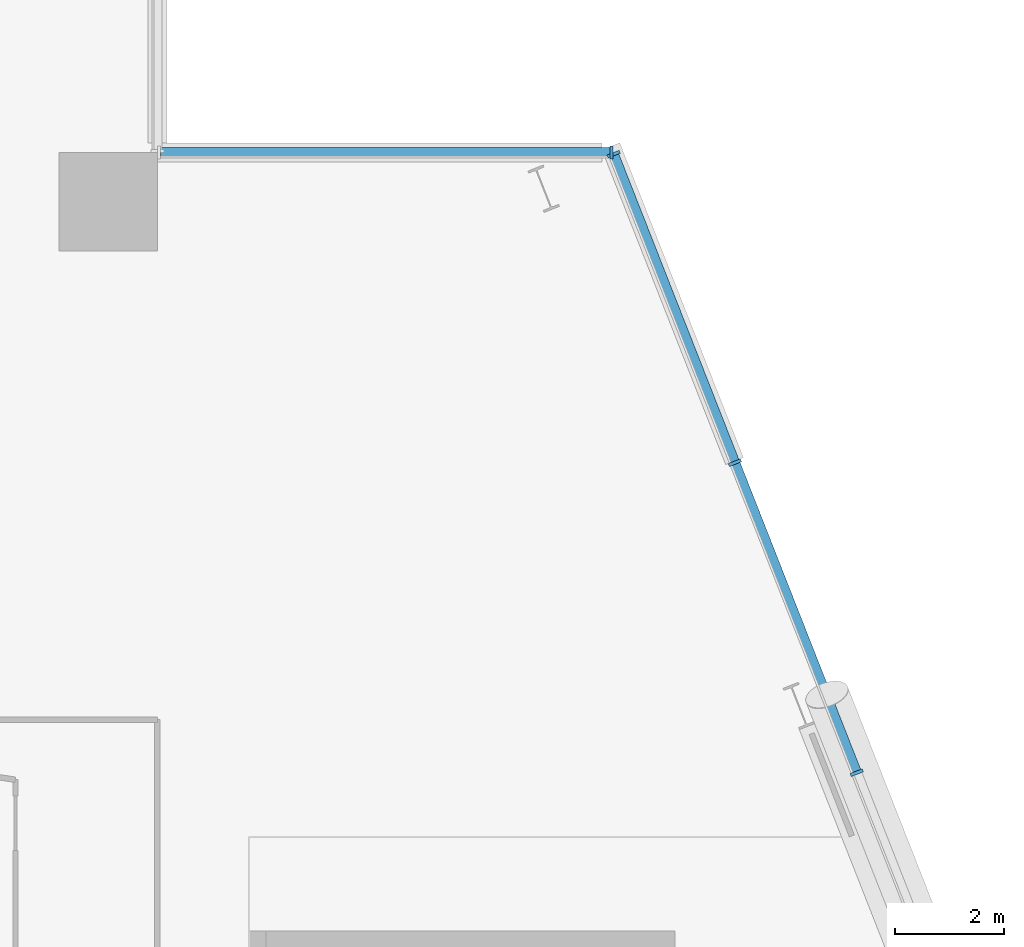
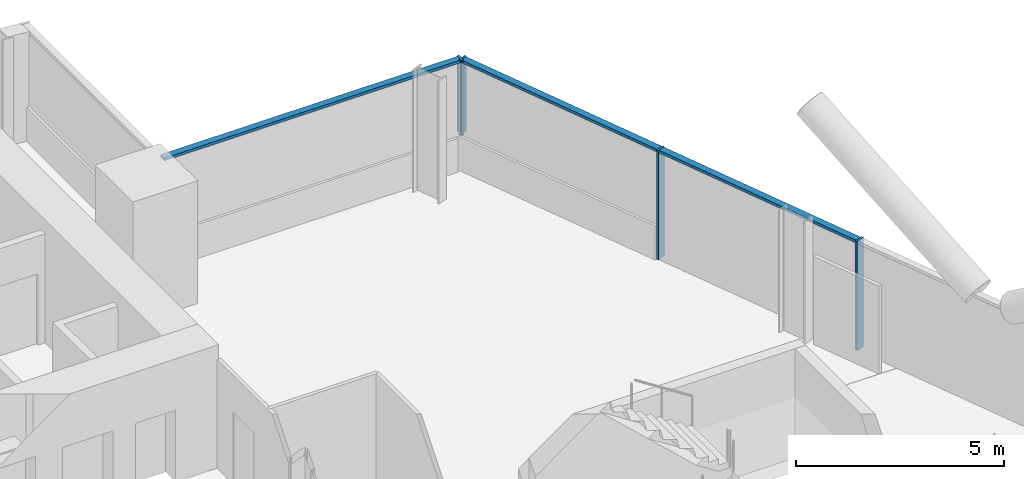
# One storey, part 11 of 31: 7 members, 2 elements without a shape of their own.
"""IFC4 building model written with IfcOpenShell, lengths in metres."""

from ifc_helpers import new_model, si_unit, direction, frame, origin, origin_2d, place, context, subcontext, project, spatial, rectangle, extrude, material, material_profile, profile_set, type_object, element, aggregate, save


model = new_model("IFC4")

# Units and contexts
model_context = context("Model", 3, precision=1e-05, world=origin(), true_north=direction((0.0, 1.0)))
body_context = subcontext(model_context, "Body", "Model", "MODEL_VIEW")
ifc_project = project(units=[si_unit("LENGTHUNIT", "METRE"), si_unit("AREAUNIT", "SQUARE_METRE"), si_unit("VOLUMEUNIT", "CUBIC_METRE"), si_unit("PLANEANGLEUNIT", "RADIAN"), si_unit("MASSUNIT", "GRAM", prefix="KILO")], contexts=[model_context])

# Site, building, storey
site_placement = place(None, origin())
site = spatial("IfcSite", under=ifc_project, at=site_placement, CompositionType="ELEMENT")
building_placement = place(site_placement, origin())
building = spatial("IfcBuilding", under=site, at=building_placement, Name="Wharfspan Tower", CompositionType="ELEMENT")
storey_placement = place(building_placement, frame((0.0, 0.0, 103.899902)))
storey = spatial("IfcBuildingStorey", under=building, at=storey_placement, Name="L23", CompositionType="ELEMENT", Elevation=103.899902)

# Curtain wall, members
ifc_material = material(Name="Aluminium 6063-T6", Category="aluminium")
curtain_wall_type = type_object("IfcCurtainWallType", Name="CURTAIN WALL PROW AND END", PredefinedType="NOTDEFINED", material=ifc_material)
curtain_wall_1_placement = place(storey_placement, origin())
curtain_wall_1 = element("IfcCurtainWall", 1, at=curtain_wall_1_placement, inside=storey, type_object=curtain_wall_type, Name="Curtain wall E", PredefinedType="NOTDEFINED")
ifc_material_profile_1 = material_profile(ifc_material, rectangle(XDim=0.23999, YDim=0.060059, at=origin_2d()))
ifc_profile_set_1 = profile_set([ifc_material_profile_1], Name="Aluminium 6063-T6")
member_type_1 = type_object("IfcMemberType", Name="MULLION PROW AND END 60x240", PredefinedType="MULLION", material=ifc_profile_set_1)
member_1_placement = place(storey_placement, frame((80.827148, 30.628662, 0.0), z_axis=(0.0, 0.0, 1.0), x_axis=(-0.930702, -0.365778, 0.0)))
member_1 = element("IfcMember", 2, at=member_1_placement, type_object=member_type_1, Name="Curtain wall E mullion 6", PredefinedType="MULLION", context=body_context, shape_type="SweptSolid", body=[
    extrude(rectangle(XDim=0.23999, YDim=0.060059, at=origin_2d()), origin(), (0.0, 0.0, 1.0), 3.200195),
])
member_2_placement = place(storey_placement, frame((78.592529, 36.314209, 0.0), z_axis=(0.0, 0.0, 1.0), x_axis=(-0.930702, -0.365778, 0.0)))
member_2 = element("IfcMember", 3, at=member_2_placement, type_object=member_type_1, Name="Curtain wall E mullion 7", PredefinedType="MULLION", context=body_context, shape_type="SweptSolid", body=[
    extrude(rectangle(XDim=0.23999, YDim=0.060059, at=origin_2d()), origin(), (0.0, 0.0, 1.0), 3.200195),
])
member_3_placement = place(storey_placement, frame((76.369141, 41.972168, 1.0), z_axis=(0.0, 0.0, 1.0), x_axis=(-0.930702, -0.365778, 0.0)))
member_3 = element("IfcMember", 4, at=member_3_placement, type_object=member_type_1, Name="Curtain wall E mullion 8", PredefinedType="MULLION", context=body_context, shape_type="SweptSolid", body=[
    extrude(rectangle(XDim=0.23999, YDim=0.060059, at=origin_2d()), origin(), (0.0, 0.0, 1.0), 2.200195),
])

# Curtain wall, member
curtain_wall_2_placement = place(storey_placement, origin())
curtain_wall_2 = element("IfcCurtainWall", 5, at=curtain_wall_2_placement, inside=storey, type_object=curtain_wall_type, Name="Curtain wall NRE-H", PredefinedType="NOTDEFINED")
member_4_placement = place(storey_placement, frame((76.328125, 42.0, 1.0), z_axis=(0.0, 0.0, 1.0), x_axis=(0.0, -1.0, 0.0)))
member_4 = element("IfcMember", 6, at=member_4_placement, type_object=member_type_1, Name="Curtain wall NRE-H mullion 1", PredefinedType="MULLION", context=body_context, shape_type="SweptSolid", body=[
    extrude(rectangle(XDim=0.23999, YDim=0.060059, at=origin_2d()), origin(), (0.0, 0.0, 1.0), 2.200195),
])

# Member
ifc_material_profile_2 = material_profile(ifc_material, rectangle(XDim=0.179932, YDim=0.080078, at=origin_2d()))
ifc_profile_set_2 = profile_set([ifc_material_profile_2], Name="Aluminium 6063-T6")
member_type_2 = type_object("IfcMemberType", Name="TRANSOM PROW AND END 80x180", PredefinedType="USERDEFINED", material=ifc_profile_set_2)
member_5_placement = place(storey_placement, frame((80.816162, 30.656494, 3.160156), z_axis=(-0.365782, 0.9307, 0.0), x_axis=(-0.9307, -0.365782, 0.0)))
member_5 = element("IfcMember", 7, at=member_5_placement, type_object=member_type_2, Name="Curtain wall E transom 6", ObjectType="TRANSOM", PredefinedType="USERDEFINED", context=body_context, shape_type="SweptSolid", body=[
    extrude(rectangle(XDim=0.179932, YDim=0.080078, at=origin_2d()), origin(), (0.0, 0.0, 1.0), 6.049072),
])

member_6_placement = place(storey_placement, frame((78.581787, 36.342285, 3.160156), z_axis=(-0.365789, 0.930698, 0.0), x_axis=(-0.930698, -0.365789, 0.0)))
member_6 = element("IfcMember", 8, at=member_6_placement, type_object=member_type_2, Name="Curtain wall E transom 7", ObjectType="TRANSOM", PredefinedType="USERDEFINED", context=body_context, shape_type="SweptSolid", body=[
    extrude(rectangle(XDim=0.179932, YDim=0.080078, at=origin_2d()), origin(), (0.0, 0.0, 1.0), 6.019043),
])

aggregate(curtain_wall_1, [member_1, member_2, member_3, member_5, member_6])

member_7_placement = place(storey_placement, frame((76.298096, 42.0, 3.160156), z_axis=(-1.0, 0.0, 0.0), x_axis=(0.0, -1.0, 0.0)))
member_7 = element("IfcMember", 9, at=member_7_placement, type_object=member_type_2, Name="Curtain wall NRE-H transom 1", ObjectType="TRANSOM", PredefinedType="USERDEFINED", context=body_context, shape_type="SweptSolid", body=[
    extrude(rectangle(XDim=0.179932, YDim=0.080078, at=origin_2d()), origin(), (0.0, 0.0, 1.0), 8.238037),
])

aggregate(curtain_wall_2, [member_4, member_7])

save(model, "model.ifc")
